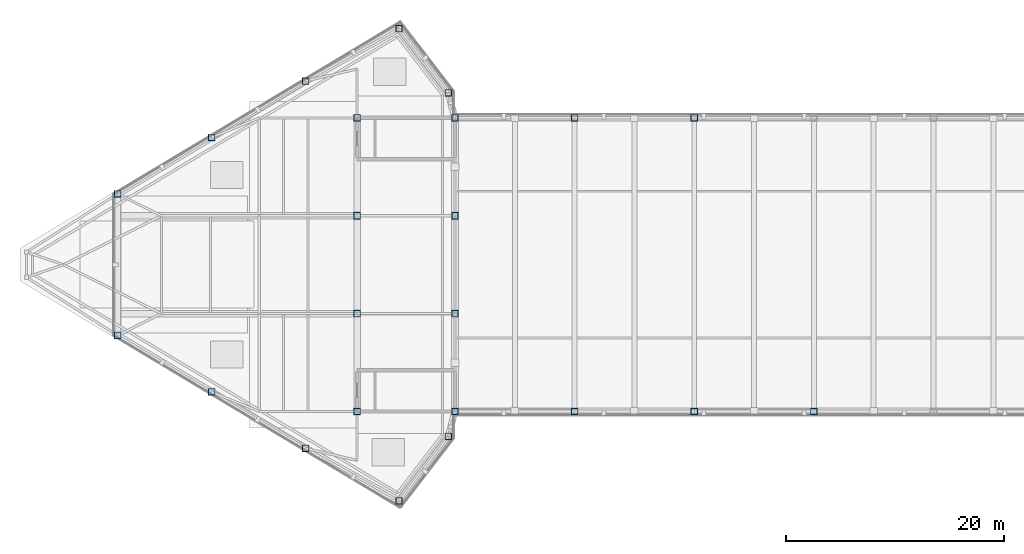
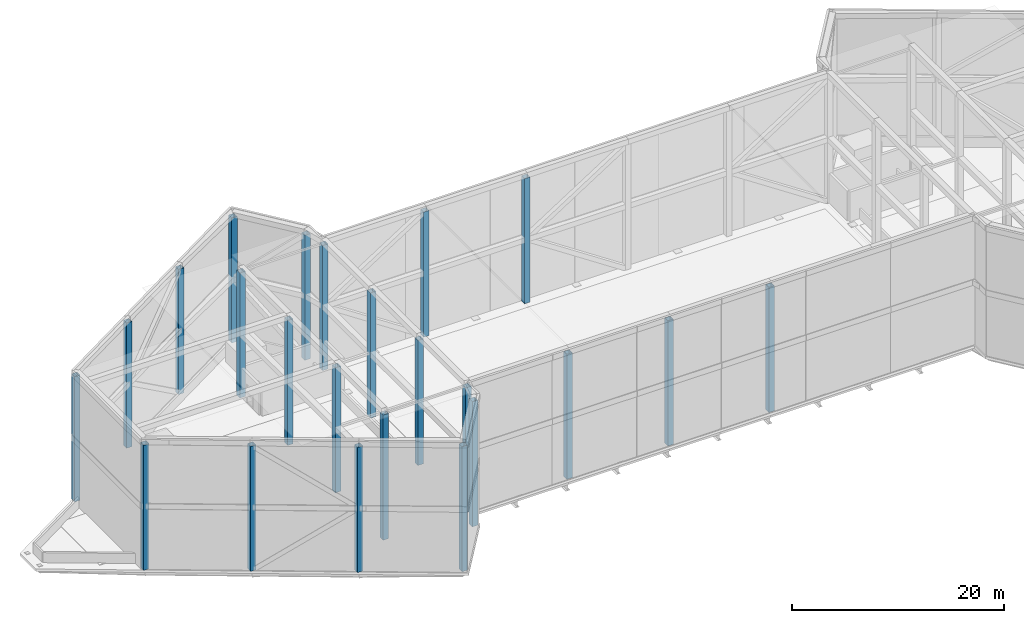
# One storey, part 1 of 16: 23 columns.
"""IFC4 building model written with IfcOpenShell, lengths in metres."""

from ifc_helpers import new_model, si_unit, direction, frame, origin, origin_2d, place, context, subcontext, project, spatial, hollow_rectangle, extrude, source, transform, mapped, material, material_profile, profile_set, type_object, type_shapes, element, save


model = new_model("IFC4")

# Units and contexts
model_context = context("Model", 3, precision=1e-05, world=origin(), true_north=direction((0.0, 1.0)))
body_context = subcontext(model_context, "Body", "Model", "MODEL_VIEW")
ifc_project = project(units=[si_unit("LENGTHUNIT", "METRE"), si_unit("AREAUNIT", "SQUARE_METRE"), si_unit("VOLUMEUNIT", "CUBIC_METRE"), si_unit("PLANEANGLEUNIT", "RADIAN"), si_unit("MASSUNIT", "GRAM", prefix="KILO")], contexts=[model_context])

# Site, building, storey
site_placement = place(None, origin())
site = spatial("IfcSite", under=ifc_project, at=site_placement, CompositionType="ELEMENT")
building_placement = place(site_placement, origin())
building = spatial("IfcBuilding", under=site, at=building_placement, Name="Seokmaru Belvedere", CompositionType="ELEMENT")
storey_placement = place(building_placement, frame((0.0, 0.0, 279.0)))
storey = spatial("IfcBuildingStorey", under=building, at=storey_placement, Name="RF", CompositionType="ELEMENT", Elevation=279.0)

# Columns
ifc_material = material(Name="Steel SM355 (355 MPa)", Category="steel")
ifc_material_profile = material_profile(ifc_material, hollow_rectangle(XDim=0.60009765625, YDim=0.60009765625, WallThickness=0.02490234375, at=origin_2d()), Name="HSS-600x600x25")
ifc_profile_set = profile_set([ifc_material_profile], Name="Steel SM355 (355 MPa)")
column_type = type_object("IfcColumnType", Name="Crown Structural Post CROWN FRAME 600x600", PredefinedType="USERDEFINED", material=ifc_profile_set)
shared_shape = source(origin(), body_context, "Body", "SweptSolid", [
    extrude(hollow_rectangle(XDim=0.60009765625, YDim=0.60009765625, WallThickness=0.02490234375, at=origin_2d()), origin(), (0.0, 0.0, 1.0), 14.39990234375),
])
type_shapes(column_type, [shared_shape])
for number, where, z_axis, x_axis, name in (
    (1, (-27.5, -13.5, 0.0), (0.0, 0.0, 1.0), (1.0, 0.0, 0.0), "RF Crown Structural Post CROWN FRAME BS01"),
    (2, (-16.5, -13.5, 0.0), (0.0, 0.0, 1.0), (1.0, 0.0, 0.0), "RF Crown Structural Post CROWN FRAME BS02"),
    (3, (-5.5, -13.5, 0.0), (0.0, 0.0, 1.0), (1.0, 0.0, 0.0), "RF Crown Structural Post CROWN FRAME BS03"),
    (4, (5.5, -13.5, 0.0), (0.0, 0.0, 1.0), (1.0, 0.0, 0.0), "RF Crown Structural Post CROWN FRAME BS04"),
    (5, (-5.5, 13.5, 0.0), (0.0, 0.0, 1.0), (1.0, 0.0, 0.0), "RF Crown Structural Post CROWN FRAME BN04"),
    (6, (-16.5, 13.5, 0.0), (0.0, 0.0, 1.0), (1.0, 0.0, 0.0), "RF Crown Structural Post CROWN FRAME BN05"),
    (7, (-27.5, 13.5, 0.0), (0.0, 0.0, 1.0), (1.0, 0.0, 0.0), "RF Crown Structural Post CROWN FRAME BN06"),
    (8, (-28.10009765625, 15.7958984375, 0.0), (0.0, 0.0, 1.0), (1.0, 0.0, 0.0), "RF Crown Structural Post CROWN FRAME WF_SH_N"),
    (9, (-32.649658203125, 21.71044921875, 0.0), (0.0, 0.0, 1.0), (1.0, 0.0, 0.0), "RF Crown Structural Post CROWN FRAME WF_V_N"),
    (10, (-41.229736328125, 16.888916015625, 0.0), (0.0, 0.0, 1.0), (1.0, 0.0, 0.0), "RF Crown Structural Post CROWN FRAME WFLK_N1"),
    (11, (-49.8798828125, 11.698974609375, 0.0), (0.0, 0.0, 1.0), (1.0, 0.0, 0.0), "RF Crown Structural Post CROWN FRAME WFLK_N2"),
    (12, (-58.530029296875, 6.5087890625, 0.0), (0.0, 0.0, 1.0), (1.0, 0.0, 0.0), "RF Crown Structural Post CROWN FRAME WFLK_N3"),
    (13, (-58.530029296875, -6.5087890625, 0.0), (0.0, 0.0, 1.0), (1.0, 0.0, 0.0), "RF Crown Structural Post CROWN FRAME WFLK_S1"),
    (14, (-49.8798828125, -11.698974609375, 0.0), (0.0, 0.0, 1.0), (1.0, 0.0, 0.0), "RF Crown Structural Post CROWN FRAME WFLK_S2"),
    (15, (-41.229736328125, -16.888916015625, 0.0), (0.0, 0.0, 1.0), (1.0, 0.0, 0.0), "RF Crown Structural Post CROWN FRAME WFLK_S3"),
    (16, (-32.649658203125, -21.71044921875, 0.0), (0.0, 0.0, 1.0), (1.0, 0.0, 0.0), "RF Crown Structural Post CROWN FRAME WF_V_S"),
    (17, (-28.10009765625, -15.7958984375, 0.0), (0.0, 0.0, 1.0), (1.0, 0.0, 0.0), "RF Crown Structural Post CROWN FRAME WF_SH_S"),
    (18, (-36.5, -13.5, 0.0), (0.0, 0.0, 1.0), (1.0, 0.0, 0.0), "RF Crown Interior Post CROWN FRAME W36-S2"),
    (19, (-36.5, -4.5, 0.0), (0.0, 0.0, 1.0), (1.0, 0.0, 0.0), "RF Crown Interior Post CROWN FRAME W36-S1"),
    (20, (-36.5, 4.5, 0.0), (0.0, 0.0, 1.0), (1.0, 0.0, 0.0), "RF Crown Interior Post CROWN FRAME W36-N1"),
    (21, (-36.5, 13.5, 0.0), (0.0, 0.0, 1.0), (1.0, 0.0, 0.0), "RF Crown Interior Post CROWN FRAME W36-N2"),
    (22, (-27.5, -4.5, 0.0), (0.0, 0.0, 1.0), (1.0, 0.0, 0.0), "RF Crown Spine Post CROWN FRAME W27-S1"),
    (23, (-27.5, 4.5, 0.0), (0.0, 0.0, 1.0), (1.0, 0.0, 0.0), "RF Crown Spine Post CROWN FRAME W27-N1"),
):
    element("IfcColumn", number, at=place(storey_placement, frame(where, z_axis=z_axis, x_axis=x_axis)), inside=storey, type_object=column_type, Name=name, ObjectType="CROWN FRAME", PredefinedType="USERDEFINED", context=body_context, shape_type="MappedRepresentation", body=[
        mapped(shared_shape, transform((0.0, 0.0, 0.0), scale=1.0)),
    ])

save(model, "model.ifc")
